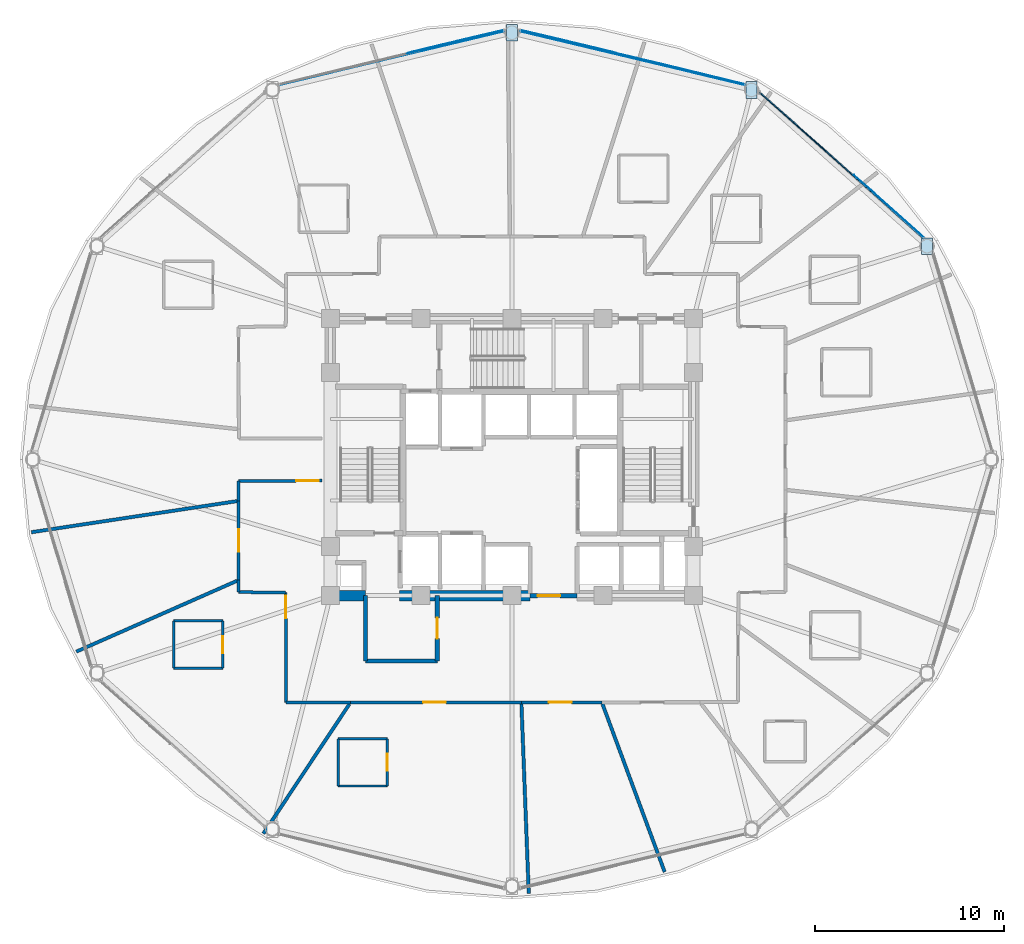
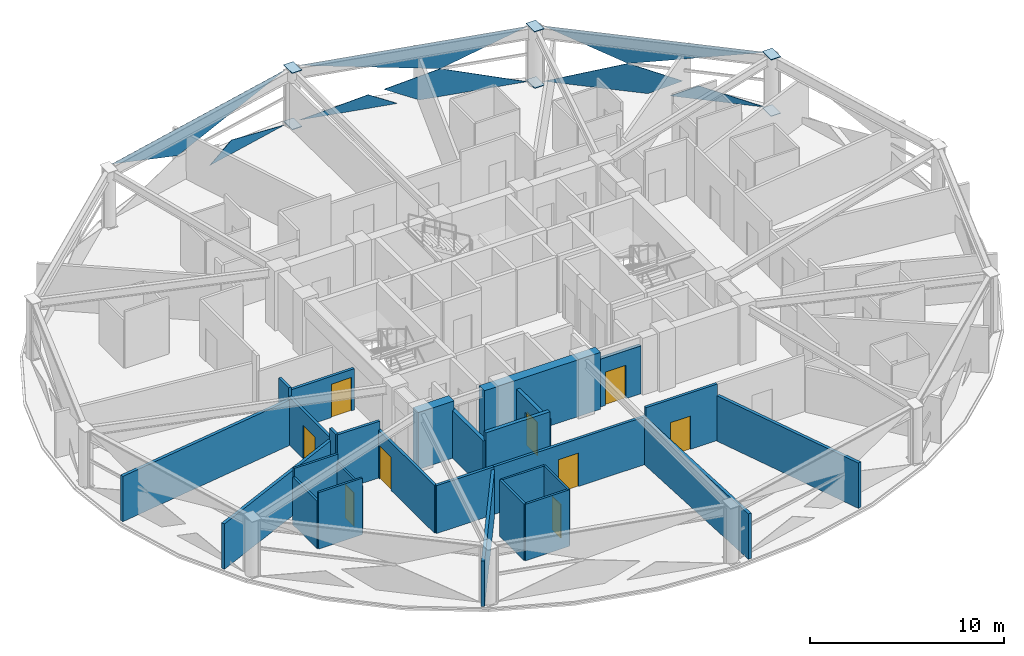
# One storey, part 23 of 31: 28 walls, 14 plates, 9 doors, 9 openings, 3 elements without a shape of their own.
"""IFC4 building model written with IfcOpenShell, lengths in metres."""

from ifc_helpers import new_model, si_unit, direction, frame, frame_2d, origin, place, context, subcontext, project, spatial, polyline, rectangle, outline, extrude, material, layer, layer_set, type_object, element, fill, aggregate, save


model = new_model("IFC4")

# Units and contexts
model_context = context("Model", 3, precision=1e-05, world=origin(), true_north=direction((0.0, 1.0)))
body_context = subcontext(model_context, "Body", "Model", "MODEL_VIEW")
ifc_project = project(units=[si_unit("LENGTHUNIT", "METRE"), si_unit("AREAUNIT", "SQUARE_METRE"), si_unit("VOLUMEUNIT", "CUBIC_METRE"), si_unit("PLANEANGLEUNIT", "RADIAN"), si_unit("MASSUNIT", "GRAM", prefix="KILO")], contexts=[model_context])

# Site, building, storey
site_placement = place(None, origin())
site = spatial("IfcSite", under=ifc_project, at=site_placement, CompositionType="ELEMENT")
building_placement = place(site_placement, origin())
building = spatial("IfcBuilding", under=site, at=building_placement, Name="Vantalir Tower", CompositionType="ELEMENT")
storey_placement = place(building_placement, frame((0.0, 0.0, 123.449951171875)))
storey = spatial("IfcBuildingStorey", under=building, at=storey_placement, Name="L30", CompositionType="ELEMENT", Elevation=123.449951171875)

# Curtain wall, plates
ifc_material_1 = material(Name="Champagne-silver PVDF aluminium and double-silver Low-E glass", Category="aluminium")
ifc_layer_1 = layer(ifc_material_1, 0.199951171875)
ifc_layer_set_1 = layer_set([ifc_layer_1], Name="Champagne-silver PVDF aluminium and double-silver Low-E glass")
curtain_wall_type = type_object("IfcCurtainWallType", Name="CW-DIAMOND-Z2", PredefinedType="USERDEFINED", material=ifc_layer_set_1)
curtain_wall_1_placement = place(storey_placement, origin())
curtain_wall_1 = element("IfcCurtainWall", 1, at=curtain_wall_1_placement, inside=storey, type_object=curtain_wall_type, Name="L30 Quilted Pyramid-Diamond Curtain Wall S02", ObjectType="UNITISED CURTAIN WALL", PredefinedType="USERDEFINED")
ifc_material_2 = material(Name="Double-silver Low-E laminated glass IGU", Category="glass")
ifc_layer_2 = layer(ifc_material_2, 0.028076171875)
ifc_layer_set_2 = layer_set([ifc_layer_2], Name="Double-silver Low-E laminated glass IGU")
plate_type_1 = type_object("IfcPlateType", Name="CWP-IGU-28", PredefinedType="CURTAIN_PANEL", material=ifc_layer_set_2)
plate_1_placement = place(storey_placement, frame((48.687255859375, 40.765625, 0.046630859375), z_axis=(-0.665300805585, -0.746448897916, 0.013743394359), x_axis=(-0.74651940335, 0.665363645251, -5.2579e-08)))
plate_1 = element("IfcPlate", 2, at=plate_1_placement, type_object=plate_type_1, Name="CW-L30-S02 Pyramid Diamond Facet 1L", PredefinedType="CURTAIN_PANEL", context=body_context, shape_type="SweptSolid", body=[
    extrude(outline(polyline([(0.0, 0.0), (5.46872002725647, 0.0), (1.0506714776154722, -1.7269697993653241), (-1.8157712128185752, -1.03842776932585), (0.0, 0.0)])), origin(), (0.0, 0.0, -1.0), 0.028076171875),
])
plate_2_placement = place(storey_placement, frame((53.291748046875, 36.70458984375, 0.0458984375), z_axis=(-0.665283604735, -0.746464471689, 0.013730177568), x_axis=(-0.746534394823, 0.665346823059, 4.8908176e-05)))
plate_2 = element("IfcPlate", 3, at=plate_2_placement, type_object=plate_type_1, Name="CW-L30-S02 Pyramid Diamond Facet 1L Infill Light", PredefinedType="CURTAIN_PANEL", context=body_context, shape_type="SweptSolid", body=[
    extrude(outline(polyline([(0.0, 0.0), (4.991816218841898, -4.2825985813177425e-18), (3.5155028973693674, -0.8443900810729449), (0.0, 0.0)])), origin(), (0.0, 0.0, -1.0), 0.028076171875),
])
plate_3_placement = place(storey_placement, frame((44.604736328125, 44.404296875, 3.5234375), z_axis=(0.66529752374, 0.746451806469, 0.013744290602), x_axis=(0.746522128378, -0.665360587501, 2.1031755e-05)))
plate_3 = element("IfcPlate", 4, at=plate_3_placement, type_object=plate_type_1, Name="CW-L30-S02 Pyramid Diamond Facet 2U", PredefinedType="CURTAIN_PANEL", context=body_context, shape_type="SweptSolid", body=[
    extrude(outline(polyline([(0.0, 0.0), (11.60819104345454, 4.472333961502706e-18), (4.418012237357074, 1.727062693102279), (0.0, 0.0)])), origin(), (0.0, 0.0, -1.0), 0.028076171875),
])
aggregate(curtain_wall_1, [plate_1, plate_2, plate_3])

curtain_wall_2_placement = place(storey_placement, origin())
curtain_wall_2 = element("IfcCurtainWall", 5, at=curtain_wall_2_placement, inside=storey, type_object=curtain_wall_type, Name="L30 Quilted Pyramid-Diamond Curtain Wall S03", ObjectType="UNITISED CURTAIN WALL", PredefinedType="USERDEFINED")
plate_4_placement = place(storey_placement, frame((43.822509765625, 44.812744140625, 0.046630859375), z_axis=(-0.23230148388, -0.972547445509, 0.013692582709), x_axis=(-0.972638762051, 0.23232269963, -4.2332746e-05)))
plate_4 = element("IfcPlate", 6, at=plate_4_placement, type_object=plate_type_1, Name="CW-L30-S03 Pyramid Diamond Facet 1L", PredefinedType="CURTAIN_PANEL", context=body_context, shape_type="SweptSolid", body=[
    extrude(outline(polyline([(0.0, 0.0), (5.76290797486281, 2.303929616531697e-18), (7.665386343364732, -1.0380194660828543), (4.644468302185211, -1.7274095176504485), (0.0, 0.0)])), origin(), (0.0, 0.0, -1.0), 0.028076171875),
])
plate_5_placement = place(storey_placement, frame((37.06884765625, 46.458740234375, 0.0458984375), z_axis=(-0.232294839852, -0.972549102871, 0.013687581345), x_axis=(-0.972640219154, 0.232316603116, 0.0)))
plate_5 = element("IfcPlate", 7, at=plate_5_placement, type_object=plate_type_1, Name="CW-L30-S03 Pyramid Diamond Facet 1L Infill Light", PredefinedType="CURTAIN_PANEL", context=body_context, shape_type="SweptSolid", body=[
    extrude(outline(polyline([(0.0, 0.0), (5.262887945169534, 0.0), (1.5519906296792882, -0.8467590113163868), (0.0, 0.0)])), origin(), (0.0, 0.0, -1.0), 0.028076171875),
])
plate_6_placement = place(storey_placement, frame((31.9423828125, 47.650390625, 3.523681640625), z_axis=(0.232299697518, 0.972547696452, 0.013705059649), x_axis=(0.972639108939, -0.232321250348, -1.9988062e-05)))
plate_6 = element("IfcPlate", 8, at=plate_6_placement, type_object=plate_type_1, Name="CW-L30-S03 Pyramid Diamond Facet 2U", PredefinedType="CURTAIN_PANEL", context=body_context, shape_type="SweptSolid", body=[
    extrude(outline(polyline([(0.0, 0.0), (12.214321677942559, 1.3552527156068805e-18), (7.569814817392175, 1.727305842677403), (0.0, 0.0)])), origin(), (0.0, 0.0, -1.0), 0.028076171875),
])
aggregate(curtain_wall_2, [plate_4, plate_5, plate_6])

curtain_wall_3_placement = place(storey_placement, origin())
curtain_wall_3 = element("IfcCurtainWall", 9, at=curtain_wall_3_placement, inside=storey, type_object=curtain_wall_type, Name="L30 Quilted Pyramid-Diamond Curtain Wall S04", ObjectType="UNITISED CURTAIN WALL", PredefinedType="USERDEFINED")
plate_7_placement = place(storey_placement, frame((31.050048828125, 47.681396484375, 0.0458984375), z_axis=(0.232294839852, -0.972549102871, 0.013687581345), x_axis=(-0.972640219154, -0.232316603116, 0.0)))
plate_7 = element("IfcPlate", 10, at=plate_7_placement, type_object=plate_type_1, Name="CW-L30-S04 Pyramid Diamond Facet 1L Infill Light", PredefinedType="CURTAIN_PANEL", context=body_context, shape_type="SweptSolid", body=[
    extrude(outline(polyline([(0.0, 0.0), (5.262887945169534, 0.0), (3.7108973154902456, -0.8467590113163868), (0.0, 0.0)])), origin(), (0.0, 0.0, -1.0), 0.028076171875),
])
plate_8_placement = place(storey_placement, frame((19.177490234375, 44.812744140625, 3.5234375), z_axis=(-0.232299697518, 0.972547696452, 0.013705059649), x_axis=(0.972639108939, 0.232321250348, 1.9988062e-05)))
plate_8 = element("IfcPlate", 11, at=plate_8_placement, type_object=plate_type_1, Name="CW-L30-S04 Pyramid Diamond Facet 2U", PredefinedType="CURTAIN_PANEL", context=body_context, shape_type="SweptSolid", body=[
    extrude(outline(polyline([(0.0, 0.0), (12.214321677942559, -1.3552527156068805e-18), (4.644506860550384, 1.727305842677403), (0.0, 0.0)])), origin(), (0.0, 0.0, -1.0), 0.028076171875),
])
aggregate(curtain_wall_3, [plate_7, plate_8])

# Plates
ifc_material_3 = material(Name="Steel S460", Category="steel")
ifc_layer_3 = layer(ifc_material_3, 0.035888671875)
ifc_layer_set_3 = layer_set([ifc_layer_3], Name="Steel S460")
plate_type_2 = type_object("IfcPlateType", Name="PLT-KN-Z2", PredefinedType="USERDEFINED", material=ifc_layer_set_3)
for number, where, z_axis, x_axis, name in (
    (12, (53.155029296875, 36.722900390625, 3.59814453125), (0.0, 0.0, 1.0), (0.0, -1.0, 0.0), "L30 Ring Column Top Cap RC02"),
    (13, (53.155029296875, 36.722900390625, 0.052978515625), (0.0, 0.0, 1.0), (0.0, -1.0, 0.0), "L30 Ring Column Base Cap RC02"),
    (14, (43.8798828125, 44.98291015625, 3.59814453125), (0.0, 0.0, 1.0), (0.0, -1.0, 0.0), "L30 Ring Column Top Cap RC03"),
    (15, (43.8798828125, 44.98291015625, 0.052978515625), (0.0, 0.0, 1.0), (0.0, -1.0, 0.0), "L30 Ring Column Base Cap RC03"),
):
    element("IfcPlate", number, at=place(storey_placement, frame(where, z_axis=z_axis, x_axis=x_axis)), inside=storey, type_object=plate_type_2, Name=name, ObjectType="FLANGE_PLATE", PredefinedType="USERDEFINED", context=body_context, shape_type="SweptSolid", body=[
        extrude(outline(polyline([(0.0, 0.0), (0.8798828125, 0.0), (0.8798828125, 0.580078125), (0.0, 0.580078125), (0.0, 0.0)])), origin(), (0.0, 0.0, -1.0), 0.035888671875),
    ])
for number, where, z_axis, x_axis, name in (
    (16, (31.2099609375, 48.006103515625, 3.59814453125), (0.0, 0.0, 1.0), (0.0, -1.0, 0.0), "L30 Ring Column Top Cap RC04"),
    (17, (31.2099609375, 48.006103515625, 0.052978515625), (0.0, 0.0, 1.0), (0.0, -1.0, 0.0), "L30 Ring Column Base Cap RC04"),
):
    element("IfcPlate", number, at=place(storey_placement, frame(where, z_axis=z_axis, x_axis=x_axis)), inside=storey, type_object=plate_type_2, Name=name, ObjectType="FLANGE_PLATE", PredefinedType="USERDEFINED", context=body_context, shape_type="SweptSolid", body=[
        extrude(outline(polyline([(0.0, 0.0), (0.880126953125, 0.0), (0.880126953125, 0.580078125), (0.0, 0.580078125), (0.0, 0.0)])), origin(), (0.0, 0.0, -1.0), 0.035888671875),
    ])

# Walls
ifc_material_4 = material(Name="Moisture-resistant en-suite partition", Category="gypsum")
ifc_layer_4 = layer(ifc_material_4, 0.125)
ifc_layer_set_4 = layer_set([ifc_layer_4], Name="Moisture-resistant en-suite partition")
wall_type_1 = type_object("IfcWallType", Name="WL-BATH-125", PredefinedType="PARTITIONING", material=ifc_layer_set_4)
for number, where, z_axis, x_axis, name in (
    (18, (13.60595703125, 13.967041015625, 0.0), (0.0, 0.0, 1.0), (1.0, 0.0, 0.0), "L30 En-suite 11 South Wall"),
    (19, (13.60595703125, 16.467041015625, 0.0), (0.0, 0.0, 1.0), (1.0, 0.0, 0.0), "L30 En-suite 11 North Wall"),
):
    element("IfcWall", number, at=place(storey_placement, frame(where, z_axis=z_axis, x_axis=x_axis)), inside=storey, type_object=wall_type_1, Name=name, PredefinedType="PARTITIONING", context=body_context, shape_type="SweptSolid", body=[
        extrude(rectangle(XDim=2.60009765625, YDim=0.125, at=frame_2d((1.300048828125, 0.0))), origin(), (0.0, 0.0, 1.0), 3.550048828125),
    ])
wall_1_placement = place(storey_placement, frame((13.60595703125, 13.967041015625, 0.0), z_axis=(0.0, 0.0, 1.0), x_axis=(0.0, 1.0, 0.0)))
element("IfcWall", 20, at=wall_1_placement, inside=storey, type_object=wall_type_1, Name="L30 En-suite 11 West Wall", PredefinedType="PARTITIONING", context=body_context, shape_type="SweptSolid", body=[
    extrude(rectangle(XDim=2.5, YDim=0.125, at=frame_2d((1.25, 0.0))), origin(), (0.0, 0.0, 1.0), 3.006103515625),
])

# Wall, opening, door
wall_2_placement = place(storey_placement, frame((16.2060546875, 13.967041015625, 0.0), z_axis=(0.0, 0.0, 1.0), x_axis=(0.0, 1.0, 0.0)))
wall_2 = element("IfcWall", 21, at=wall_2_placement, inside=storey, type_object=wall_type_1, Name="L30 En-suite 11 East Wall", PredefinedType="PARTITIONING", context=body_context, shape_type="SweptSolid", body=[
    extrude(rectangle(XDim=2.5, YDim=0.125, at=frame_2d((1.25, 0.0))), origin(), (0.0, 0.0, 1.0), 3.006103515625),
])
opening_1_placement = place(wall_2_placement, frame((0.800048828125, 0.0, 0.0)))
opening_1 = element("IfcOpeningElement", 22, at=opening_1_placement, cuts=wall_2, Name="Opening D-WC", PredefinedType="OPENING", context=body_context, shape_type="SweptSolid", body=[
    extrude(rectangle(XDim=0.89990234375, YDim=2.10009765625, at=frame_2d((0.449951171875, 1.050048828125))), frame((0.0, 0.072509765625, 0.0), z_axis=(0.0, -1.0, 0.0), x_axis=(1.0, 0.0, 0.0)), (0.0, 0.0, 1.0), 0.14501953125),
])
ifc_material_5 = material(Name="Moisture-resistant hardwood door", Category="wood")
door_type_1 = type_object("IfcDoorType", Name="DR-ENSUITE-900", OperationType="NOTDEFINED", PredefinedType="DOOR", material=ifc_material_5)
door_1_placement = place(opening_1_placement, origin())
door_1 = element("IfcDoor", 23, at=door_1_placement, inside=storey, type_object=door_type_1, Name="L30 En-suite 11 Door", OperationType="SINGLE_SWING_RIGHT", OverallHeight=2.10009765625, OverallWidth=0.89990234375, PredefinedType="DOOR", context=body_context, shape_type="SweptSolid", body=[
    extrude(rectangle(XDim=0.89990234375, YDim=2.10009765625, at=frame_2d((0.449951171875, 1.050048828125))), frame((0.0, 0.02490234375, 0.0), z_axis=(0.0, -1.0, 0.0), x_axis=(1.0, 0.0, 0.0)), (0.0, 0.0, 1.0), 0.050048828125),
])
fill(opening_1, door_1)

# Walls
for number, where, z_axis, x_axis, name in (
    (24, (22.30810546875, 7.735107421875, 0.0), (0.0, 0.0, 1.0), (1.0, 0.0, 0.0), "L30 En-suite 12 South Wall"),
    (25, (22.30810546875, 10.235107421875, 0.0), (0.0, 0.0, 1.0), (1.0, 0.0, 0.0), "L30 En-suite 12 North Wall"),
):
    element("IfcWall", number, at=place(storey_placement, frame(where, z_axis=z_axis, x_axis=x_axis)), inside=storey, type_object=wall_type_1, Name=name, PredefinedType="PARTITIONING", context=body_context, shape_type="SweptSolid", body=[
        extrude(rectangle(XDim=2.599853515625, YDim=0.125, at=frame_2d((1.2998046875, 0.0))), origin(), (0.0, 0.0, 1.0), 3.550048828125),
    ])
wall_3_placement = place(storey_placement, frame((22.30810546875, 7.735107421875, 0.0), z_axis=(0.0, 0.0, 1.0), x_axis=(0.0, 1.0, 0.0)))
element("IfcWall", 26, at=wall_3_placement, inside=storey, type_object=wall_type_1, Name="L30 En-suite 12 West Wall", PredefinedType="PARTITIONING", context=body_context, shape_type="SweptSolid", body=[
    extrude(rectangle(XDim=2.5, YDim=0.125, at=frame_2d((1.25, 0.0))), origin(), (0.0, 0.0, 1.0), 3.550048828125),
])

# Wall, opening, door
wall_4_placement = place(storey_placement, frame((24.907958984375, 7.735107421875, 0.0), z_axis=(0.0, 0.0, 1.0), x_axis=(0.0, 1.0, 0.0)))
wall_4 = element("IfcWall", 27, at=wall_4_placement, inside=storey, type_object=wall_type_1, Name="L30 En-suite 12 East Wall", PredefinedType="PARTITIONING", context=body_context, shape_type="SweptSolid", body=[
    extrude(rectangle(XDim=2.5, YDim=0.125, at=frame_2d((1.25, 0.0))), origin(), (0.0, 0.0, 1.0), 3.550048828125),
])
opening_2_placement = place(wall_4_placement, frame((0.800048828125, 0.0, 0.0)))
opening_2 = element("IfcOpeningElement", 28, at=opening_2_placement, cuts=wall_4, Name="Opening D-WC", PredefinedType="OPENING", context=body_context, shape_type="SweptSolid", body=[
    extrude(rectangle(XDim=0.89990234375, YDim=2.10009765625, at=frame_2d((0.449951171875, 1.050048828125))), frame((0.0, 0.072509765625, 0.0), z_axis=(0.0, -1.0, 0.0), x_axis=(1.0, 0.0, 0.0)), (0.0, 0.0, 1.0), 0.14501953125),
])
door_2_placement = place(opening_2_placement, origin())
door_2 = element("IfcDoor", 29, at=door_2_placement, inside=storey, type_object=door_type_1, Name="L30 En-suite 12 Door", OperationType="SINGLE_SWING_LEFT", OverallHeight=2.10009765625, OverallWidth=0.89990234375, PredefinedType="DOOR", context=body_context, shape_type="SweptSolid", body=[
    extrude(rectangle(XDim=0.89990234375, YDim=2.10009765625, at=frame_2d((0.449951171875, 1.050048828125))), frame((0.0, 0.02490234375, 0.0), z_axis=(0.0, -1.0, 0.0), x_axis=(1.0, 0.0, 0.0)), (0.0, 0.0, 1.0), 0.050048828125),
])
fill(opening_2, door_2)

# Walls
ifc_material_6 = material(Name="Concrete C60/75", Category="concrete")
ifc_layer_5 = layer(ifc_material_6, 0.550048828125)
ifc_layer_set_5 = layer_set([ifc_layer_5], Name="Concrete C60/75")
wall_type_2 = type_object("IfcWallType", Name="WL-CORE-550", PredefinedType="SHEAR", material=ifc_layer_set_5)
wall_5_placement = place(storey_placement, frame((21.625, 17.800048828125, 0.0), z_axis=(0.0, 0.0, 1.0), x_axis=(1.0, 0.0, 0.0)))
element("IfcWall", 30, at=wall_5_placement, inside=storey, type_object=wall_type_2, Name="L30 Core Shear Wall South-West", PredefinedType="SHEAR", context=body_context, shape_type="SweptSolid", body=[
    extrude(rectangle(XDim=2.125, YDim=0.550048828125, at=frame_2d((1.0625, 0.0))), origin(), (0.0, 0.0, 1.0), 3.570068359375),
])
wall_6_placement = place(storey_placement, frame((25.550048828125, 17.800048828125, 0.0), z_axis=(0.0, 0.0, 1.0), x_axis=(1.0, 0.0, 0.0)))
element("IfcWall", 31, at=wall_6_placement, inside=storey, type_object=wall_type_2, Name="L30 Core Shear Wall South-Mid", PredefinedType="SHEAR", context=body_context, shape_type="SweptSolid", body=[
    extrude(rectangle(XDim=6.89990234375, YDim=0.550048828125, at=frame_2d((3.449951171875, 0.0))), origin(), (0.0, 0.0, 1.0), 3.570068359375),
])

# Wall, opening, door
ifc_material_7 = material(Name="Fire-rated hotel corridor acoustic partition", Category="gypsum")
ifc_layer_6 = layer(ifc_material_7, 0.159912109375)
ifc_layer_set_6 = layer_set([ifc_layer_6], Name="Fire-rated hotel corridor acoustic partition")
wall_type_3 = type_object("IfcWallType", Name="WL-CORR-160", PredefinedType="PARTITIONING", material=ifc_layer_set_6)
wall_7_placement = place(storey_placement, frame((36.2509765625, 12.1640625, 0.0), z_axis=(0.0, 0.0, 1.0), x_axis=(-0.999999894645, -0.000459031395, 0.0)))
wall_7 = element("IfcWall", 32, at=wall_7_placement, inside=storey, type_object=wall_type_3, Name="L30 Corridor Partition 28", PredefinedType="PARTITIONING", context=body_context, shape_type="SweptSolid", body=[
    extrude(rectangle(XDim=4.2548828125, YDim=0.159912109375, at=frame_2d((2.12744140625, 0.0))), origin(), (0.0, 0.0, 1.0), 3.550048828125),
])
opening_3_placement = place(wall_7_placement, frame((1.59912109375, 0.0, 0.0)))
opening_3 = element("IfcOpeningElement", 33, at=opening_3_placement, cuts=wall_7, Name="Opening D-STE", PredefinedType="OPENING", context=body_context, shape_type="SweptSolid", body=[
    extrude(rectangle(XDim=1.199951171875, YDim=2.10009765625, at=frame_2d((0.60009765625, 1.050048828125))), frame((0.0, 0.08984375, 0.0), z_axis=(0.0, -1.0, 0.0), x_axis=(1.0, 0.0, 0.0)), (0.0, 0.0, 1.0), 0.179931640625),
])
ifc_material_8 = material(Name="Solid-core teak veneer suite entrance door", Category="wood")
door_type_2 = type_object("IfcDoorType", Name="DR-SUITE-ENTRY-1200", OperationType="NOTDEFINED", PredefinedType="DOOR", material=ifc_material_8)
door_3_placement = place(opening_3_placement, origin())
door_3 = element("IfcDoor", 34, at=door_3_placement, inside=storey, type_object=door_type_2, Name="L30 Club Reading Lounge 13 Door", OperationType="SINGLE_SWING_RIGHT", OverallHeight=2.10009765625, OverallWidth=1.199951171875, PredefinedType="DOOR", context=body_context, shape_type="SweptSolid", body=[
    extrude(rectangle(XDim=1.199951171875, YDim=2.10009765625, at=frame_2d((0.60009765625, 1.050048828125))), frame((0.0, 0.02490234375, 0.0), z_axis=(0.0, -1.0, 0.0), x_axis=(1.0, 0.0, 0.0)), (0.0, 0.0, 1.0), 0.050048828125),
])
fill(opening_3, door_3)

wall_8_placement = place(storey_placement, frame((31.99609375, 12.162109375, 0.0), z_axis=(0.0, 0.0, 1.0), x_axis=(-0.999999894397, -0.000459571199, 0.0)))
wall_8 = element("IfcWall", 35, at=wall_8_placement, inside=storey, type_object=wall_type_3, Name="L30 Corridor Partition 29", PredefinedType="PARTITIONING", context=body_context, shape_type="SweptSolid", body=[
    extrude(rectangle(XDim=9.031005859375, YDim=0.159912109375, at=frame_2d((4.515625, 0.0))), origin(), (0.0, 0.0, 1.0), 3.006103515625),
])
opening_4_placement = place(wall_8_placement, frame((3.989013671875, 0.0, 0.0)))
opening_4 = element("IfcOpeningElement", 36, at=opening_4_placement, cuts=wall_8, Name="Opening D-STE", PredefinedType="OPENING", context=body_context, shape_type="SweptSolid", body=[
    extrude(rectangle(XDim=1.199951171875, YDim=2.10009765625, at=frame_2d((0.60009765625, 1.050048828125))), frame((0.0, 0.08984375, 0.0), z_axis=(0.0, -1.0, 0.0), x_axis=(1.0, 0.0, 0.0)), (0.0, 0.0, 1.0), 0.179931640625),
])
door_4_placement = place(opening_4_placement, origin())
door_4 = element("IfcDoor", 37, at=door_4_placement, inside=storey, type_object=door_type_2, Name="L30 Executive Club Hotel Suite 12 Door", OperationType="SINGLE_SWING_LEFT", OverallHeight=2.10009765625, OverallWidth=1.199951171875, PredefinedType="DOOR", context=body_context, shape_type="SweptSolid", body=[
    extrude(rectangle(XDim=1.199951171875, YDim=2.10009765625, at=frame_2d((0.60009765625, 1.050048828125))), frame((0.0, 0.02490234375, 0.0), z_axis=(0.0, -1.0, 0.0), x_axis=(1.0, 0.0, 0.0)), (0.0, 0.0, 1.0), 0.050048828125),
])
fill(opening_4, door_4)

# Wall
wall_9_placement = place(storey_placement, frame((22.965087890625, 12.157958984375, 0.0), z_axis=(0.0, 0.0, 1.0), x_axis=(-0.999999959043, -0.000286204911, 0.0)))
element("IfcWall", 38, at=wall_9_placement, inside=storey, type_object=wall_type_3, Name="L30 Corridor Partition 30", PredefinedType="PARTITIONING", context=body_context, shape_type="SweptSolid", body=[
    extrude(rectangle(XDim=3.412109375, YDim=0.159912109375, at=frame_2d((1.7060546875, 0.0))), origin(), (0.0, 0.0, 1.0), 3.006103515625),
])

# Wall, opening, door
wall_10_placement = place(storey_placement, frame((19.552978515625, 12.156982421875, 0.0), z_axis=(0.0, 0.0, 1.0), x_axis=(-0.003113283747, 0.99999515372, 0.0)))
wall_10 = element("IfcWall", 39, at=wall_10_placement, inside=storey, type_object=wall_type_3, Name="L30 Corridor Partition 31", PredefinedType="PARTITIONING", context=body_context, shape_type="SweptSolid", body=[
    extrude(rectangle(XDim=5.802978515625, YDim=0.159912109375, at=frame_2d((2.9013671875, 0.0))), origin(), (0.0, 0.0, 1.0), 3.006103515625),
])
opening_5_placement = place(wall_10_placement, frame((4.443115234375, 0.0, 0.0)))
opening_5 = element("IfcOpeningElement", 40, at=opening_5_placement, cuts=wall_10, Name="Opening D-STE", PredefinedType="OPENING", context=body_context, shape_type="SweptSolid", body=[
    extrude(rectangle(XDim=1.199951171875, YDim=2.10009765625, at=frame_2d((0.60009765625, 1.050048828125))), frame((0.0, 0.08984375, 0.0), z_axis=(0.0, -1.0, 0.0), x_axis=(1.0, 0.0, 0.0)), (0.0, 0.0, 1.0), 0.179931640625),
])
door_5_placement = place(opening_5_placement, origin())
door_5 = element("IfcDoor", 41, at=door_5_placement, inside=storey, type_object=door_type_2, Name="L30 Corner Panorama Hotel Suite 11 Door", OperationType="SINGLE_SWING_RIGHT", OverallHeight=2.10009765625, OverallWidth=1.199951171875, PredefinedType="DOOR", context=body_context, shape_type="SweptSolid", body=[
    extrude(rectangle(XDim=1.199951171875, YDim=2.10009765625, at=frame_2d((0.60009765625, 1.050048828125))), frame((0.0, 0.02490234375, 0.0), z_axis=(0.0, -1.0, 0.0), x_axis=(1.0, 0.0, 0.0)), (0.0, 0.0, 1.0), 0.050048828125),
])
fill(opening_5, door_5)

# Walls
wall_11_placement = place(storey_placement, frame((19.534912109375, 17.9599609375, 0.0), z_axis=(0.0, 0.0, 1.0), x_axis=(-0.999917456219, 0.012848375357, 0.0)))
element("IfcWall", 42, at=wall_11_placement, inside=storey, type_object=wall_type_3, Name="L30 Corridor Partition 32", PredefinedType="PARTITIONING", context=body_context, shape_type="SweptSolid", body=[
    extrude(rectangle(XDim=2.4892578125, YDim=0.159912109375, at=frame_2d((1.24462890625, 0.0))), origin(), (0.0, 0.0, 1.0), 3.550048828125),
])
wall_12_placement = place(storey_placement, frame((17.0458984375, 17.991943359375, 0.0), z_axis=(0.0, 0.0, 1.0), x_axis=(0.0, 1.0, 0.0)))
element("IfcWall", 43, at=wall_12_placement, inside=storey, type_object=wall_type_3, Name="L30 Corridor Partition 33", PredefinedType="PARTITIONING", context=body_context, shape_type="SweptSolid", body=[
    extrude(rectangle(XDim=0.635009765625, YDim=0.159912109375, at=frame_2d((0.3173828125, 0.0))), origin(), (0.0, 0.0, 1.0), 3.550048828125),
])

# Wall, opening, door
wall_13_placement = place(storey_placement, frame((17.0458984375, 18.626953125, 0.0), z_axis=(0.0, 0.0, 1.0), x_axis=(0.0, 1.0, 0.0)))
wall_13 = element("IfcWall", 44, at=wall_13_placement, inside=storey, type_object=wall_type_3, Name="L30 Corridor Partition 34", PredefinedType="PARTITIONING", context=body_context, shape_type="SweptSolid", body=[
    extrude(rectangle(XDim=4.18701171875, YDim=0.159912109375, at=frame_2d((2.093505859375, 0.0))), origin(), (0.0, 0.0, 1.0), 3.006103515625),
])
opening_6_placement = place(wall_13_placement, frame((1.493896484375, 0.0, 0.0)))
opening_6 = element("IfcOpeningElement", 45, at=opening_6_placement, cuts=wall_13, Name="Opening D-STE", PredefinedType="OPENING", context=body_context, shape_type="SweptSolid", body=[
    extrude(rectangle(XDim=1.199951171875, YDim=2.10009765625, at=frame_2d((0.60009765625, 1.050048828125))), frame((0.0, 0.08984375, 0.0), z_axis=(0.0, -1.0, 0.0), x_axis=(1.0, 0.0, 0.0)), (0.0, 0.0, 1.0), 0.179931640625),
])
door_6_placement = place(opening_6_placement, origin())
door_6 = element("IfcDoor", 46, at=door_6_placement, inside=storey, type_object=door_type_2, Name="L30 Executive Sky Boardroom 10 Door", OperationType="SINGLE_SWING_LEFT", OverallHeight=2.10009765625, OverallWidth=1.199951171875, PredefinedType="DOOR", context=body_context, shape_type="SweptSolid", body=[
    extrude(rectangle(XDim=1.199951171875, YDim=2.10009765625, at=frame_2d((0.60009765625, 1.050048828125))), frame((0.0, 0.02490234375, 0.0), z_axis=(0.0, -1.0, 0.0), x_axis=(1.0, 0.0, 0.0)), (0.0, 0.0, 1.0), 0.050048828125),
])
fill(opening_6, door_6)

# Wall
wall_14_placement = place(storey_placement, frame((17.0458984375, 22.81396484375, 0.0), z_axis=(0.0, 0.0, 1.0), x_axis=(0.0, 1.0, 0.0)))
element("IfcWall", 47, at=wall_14_placement, inside=storey, type_object=wall_type_3, Name="L30 Corridor Partition 35", PredefinedType="PARTITIONING", context=body_context, shape_type="SweptSolid", body=[
    extrude(rectangle(XDim=1.0439453125, YDim=0.159912109375, at=frame_2d((0.52197265625, 0.0))), origin(), (0.0, 0.0, 1.0), 3.550048828125),
])

# Wall, opening, door
wall_15_placement = place(storey_placement, frame((17.0458984375, 23.85791015625, 0.0), z_axis=(0.0, 0.0, 1.0), x_axis=(0.999982369497, 0.005938071676, 0.0)))
wall_15 = element("IfcWall", 48, at=wall_15_placement, inside=storey, type_object=wall_type_3, Name="L30 Corridor Partition 36", PredefinedType="PARTITIONING", context=body_context, shape_type="SweptSolid", body=[
    extrude(rectangle(XDim=4.399169921875, YDim=0.159912109375, at=frame_2d((2.19970703125, 0.0))), origin(), (0.0, 0.0, 1.0), 2.594970703125),
])
opening_7_placement = place(wall_15_placement, frame((3.0390625, 0.0, 0.0)))
opening_7 = element("IfcOpeningElement", 49, at=opening_7_placement, cuts=wall_15, Name="Opening D-STE", PredefinedType="OPENING", context=body_context, shape_type="SweptSolid", body=[
    extrude(rectangle(XDim=1.199951171875, YDim=2.10009765625, at=frame_2d((0.60009765625, 1.050048828125))), frame((0.0, 0.08984375, 0.0), z_axis=(0.0, -1.0, 0.0), x_axis=(1.0, 0.0, 0.0)), (0.0, 0.0, 1.0), 0.179931640625),
])
door_7_placement = place(opening_7_placement, origin())
door_7 = element("IfcDoor", 50, at=door_7_placement, inside=storey, type_object=door_type_2, Name="L30 Club Reading Lounge 09 Door", OperationType="SINGLE_SWING_RIGHT", OverallHeight=2.10009765625, OverallWidth=1.199951171875, PredefinedType="DOOR", context=body_context, shape_type="SweptSolid", body=[
    extrude(rectangle(XDim=1.199951171875, YDim=2.10009765625, at=frame_2d((0.60009765625, 1.050048828125))), frame((0.0, 0.02490234375, 0.0), z_axis=(0.0, -1.0, 0.0), x_axis=(1.0, 0.0, 0.0)), (0.0, 0.0, 1.0), 0.050048828125),
])
fill(opening_7, door_7)

ifc_material_9 = material(Name="Concrete blockwork with fireboard lining", Category="masonry")
ifc_layer_7 = layer(ifc_material_9, 0.219970703125)
ifc_layer_set_7 = layer_set([ifc_layer_7], Name="Concrete blockwork with fireboard lining")
wall_type_4 = type_object("IfcWallType", Name="WL-FFL-220", PredefinedType="PARTITIONING", material=ifc_layer_set_7)
wall_16_placement = place(storey_placement, frame((32.449951171875, 17.800048828125, 0.0), z_axis=(0.0, 0.0, 1.0), x_axis=(1.0, 0.0, 0.0)))
wall_16 = element("IfcWall", 51, at=wall_16_placement, inside=storey, type_object=wall_type_4, Name="L30 Passenger Lift Lobby South Wall", PredefinedType="PARTITIONING", context=body_context, shape_type="SweptSolid", body=[
    extrude(rectangle(XDim=2.5, YDim=0.219970703125, at=frame_2d((1.25, 0.0))), origin(), (0.0, 0.0, 1.0), 3.006103515625),
])
opening_8_placement = place(wall_16_placement, frame((0.39990234375, 0.0, 0.0)))
opening_8 = element("IfcOpeningElement", 52, at=opening_8_placement, cuts=wall_16, Name="Opening D-STE", PredefinedType="OPENING", context=body_context, shape_type="SweptSolid", body=[
    extrude(rectangle(XDim=1.199951171875, YDim=2.10009765625, at=frame_2d((0.60009765625, 1.050048828125))), frame((0.0, 0.119873046875, 0.0), z_axis=(0.0, -1.0, 0.0), x_axis=(1.0, 0.0, 0.0)), (0.0, 0.0, 1.0), 0.239990234375),
])
door_8_placement = place(opening_8_placement, origin())
door_8 = element("IfcDoor", 53, at=door_8_placement, inside=storey, type_object=door_type_2, Name="L30 Passenger Lift Lobby Concourse Door", OperationType="SINGLE_SWING_LEFT", OverallHeight=2.10009765625, OverallWidth=1.199951171875, PredefinedType="DOOR", context=body_context, shape_type="SweptSolid", body=[
    extrude(rectangle(XDim=1.199951171875, YDim=2.10009765625, at=frame_2d((0.60009765625, 1.050048828125))), frame((0.0, 0.02490234375, 0.0), z_axis=(0.0, -1.0, 0.0), x_axis=(1.0, 0.0, 0.0)), (0.0, 0.0, 1.0), 0.050048828125),
])
fill(opening_8, door_8)

# Walls
wall_17_placement = place(storey_placement, frame((23.75, 14.35009765625, 0.0), z_axis=(0.0, 0.0, 1.0), x_axis=(0.0, 1.0, 0.0)))
element("IfcWall", 54, at=wall_17_placement, inside=storey, type_object=wall_type_4, Name="L30 Firefighting Lobby West Outer W", PredefinedType="PARTITIONING", context=body_context, shape_type="SweptSolid", body=[
    extrude(rectangle(XDim=3.449951171875, YDim=0.219970703125, at=frame_2d((1.72509765625, 0.0))), origin(), (0.0, 0.0, 1.0), 3.006103515625),
])
wall_18_placement = place(storey_placement, frame((23.75, 14.35009765625, 0.0), z_axis=(0.0, 0.0, 1.0), x_axis=(1.0, 0.0, 0.0)))
element("IfcWall", 55, at=wall_18_placement, inside=storey, type_object=wall_type_4, Name="L30 Firefighting Lobby West South Wall", PredefinedType="PARTITIONING", context=body_context, shape_type="SweptSolid", body=[
    extrude(rectangle(XDim=3.800048828125, YDim=0.219970703125, at=frame_2d((1.89990234375, 0.0))), origin(), (0.0, 0.0, 1.0), 3.550048828125),
])

# Wall, opening, door
wall_19_placement = place(storey_placement, frame((27.550048828125, 14.35009765625, 0.0), z_axis=(0.0, 0.0, 1.0), x_axis=(0.0, 1.0, 0.0)))
wall_19 = element("IfcWall", 56, at=wall_19_placement, inside=storey, type_object=wall_type_4, Name="L30 Firefighting Lobby West East Wall", PredefinedType="PARTITIONING", context=body_context, shape_type="SweptSolid", body=[
    extrude(rectangle(XDim=3.449951171875, YDim=0.219970703125, at=frame_2d((1.72509765625, 0.0))), origin(), (0.0, 0.0, 1.0), 3.006103515625),
])
opening_9_placement = place(wall_19_placement, frame((1.175048828125, 0.0, 0.0)))
opening_9 = element("IfcOpeningElement", 57, at=opening_9_placement, cuts=wall_19, Name="Opening D-FFL", PredefinedType="OPENING", context=body_context, shape_type="SweptSolid", body=[
    extrude(rectangle(XDim=1.10009765625, YDim=2.10009765625, at=frame_2d((0.550048828125, 1.050048828125))), frame((0.0, 0.119873046875, 0.0), z_axis=(0.0, -1.0, 0.0), x_axis=(1.0, 0.0, 0.0)), (0.0, 0.0, 1.0), 0.239990234375),
])
ifc_material_10 = material(Name="Fire-rated acoustic steel door", Category="steel")
door_type_3 = type_object("IfcDoorType", Name="DR-FIRE-LOBBY-1100", OperationType="NOTDEFINED", PredefinedType="DOOR", material=ifc_material_10)
door_9_placement = place(opening_9_placement, origin())
door_9 = element("IfcDoor", 58, at=door_9_placement, inside=storey, type_object=door_type_3, Name="L30 Firefighting Lobby West Access Door", OperationType="SINGLE_SWING_LEFT", OverallHeight=2.10009765625, OverallWidth=1.10009765625, PredefinedType="DOOR", context=body_context, shape_type="SweptSolid", body=[
    extrude(rectangle(XDim=1.10009765625, YDim=2.10009765625, at=frame_2d((0.550048828125, 1.050048828125))), frame((0.0, 0.02490234375, 0.0), z_axis=(0.0, -1.0, 0.0), x_axis=(1.0, 0.0, 0.0)), (0.0, 0.0, 1.0), 0.050048828125),
])
fill(opening_9, door_9)

# Walls
ifc_material_11 = material(Name="Twin-stud acoustic fire-rated gypsum partition", Category="gypsum")
ifc_layer_8 = layer(ifc_material_11, 0.179931640625)
ifc_layer_set_8 = layer_set([ifc_layer_8], Name="Twin-stud acoustic fire-rated gypsum partition")
wall_type_5 = type_object("IfcWallType", Name="WL-GUEST-180", PredefinedType="PARTITIONING", material=ifc_layer_set_8)
wall_20_placement = place(storey_placement, frame((16.969970703125, 22.802001953125, 0.0), z_axis=(0.0, 0.0, 1.0), x_axis=(-0.988755191882, -0.14954320622, 0.0)))
element("IfcWall", 59, at=wall_20_placement, inside=storey, type_object=wall_type_5, Name="L30 Radial Suite Partition 10", PredefinedType="PARTITIONING", context=body_context, shape_type="SweptSolid", body=[
    extrude(rectangle(XDim=11.0068359375, YDim=0.179931640625, at=frame_2d((5.50341796875, 0.0))), origin(), (0.0, 0.0, 1.0), 2.85107421875),
])
wall_21_placement = place(storey_placement, frame((16.969970703125, 18.593017578125, 0.0), z_axis=(0.0, 0.0, 1.0), x_axis=(-0.914998481558, -0.403457282431, 0.0)))
element("IfcWall", 60, at=wall_21_placement, inside=storey, type_object=wall_type_5, Name="L30 Radial Suite Partition 11", PredefinedType="PARTITIONING", context=body_context, shape_type="SweptSolid", body=[
    extrude(rectangle(XDim=9.299560546875, YDim=0.179931640625, at=frame_2d((4.64990234375, 0.0))), origin(), (0.0, 0.0, 1.0), 2.85107421875),
])
wall_22_placement = place(storey_placement, frame((22.908935546875, 12.074951171875, 0.0), z_axis=(0.0, 0.0, 1.0), x_axis=(-0.553501008126, -0.832848506034, 0.0)))
element("IfcWall", 61, at=wall_22_placement, inside=storey, type_object=wall_type_5, Name="L30 Radial Suite Partition 12", PredefinedType="PARTITIONING", context=body_context, shape_type="SweptSolid", body=[
    extrude(rectangle(XDim=8.225830078125, YDim=0.179931640625, at=frame_2d((4.11279296875, 0.0))), origin(), (0.0, 0.0, 1.0), 2.85107421875),
])
wall_23_placement = place(storey_placement, frame((31.9990234375, 12.074951171875, 0.0), z_axis=(0.0, 0.0, 1.0), x_axis=(0.038582699769, -0.999255410432, 0.0)))
element("IfcWall", 62, at=wall_23_placement, inside=storey, type_object=wall_type_5, Name="L30 Radial Suite Partition 13", PredefinedType="PARTITIONING", context=body_context, shape_type="SweptSolid", body=[
    extrude(rectangle(XDim=10.029541015625, YDim=0.179931640625, at=frame_2d((5.0146484375, 0.0))), origin(), (0.0, 0.0, 1.0), 2.85107421875),
])
wall_24_placement = place(storey_placement, frame((36.283935546875, 12.074951171875, 0.0), z_axis=(0.0, 0.0, 1.0), x_axis=(0.347176662683, -0.937799746688, 0.0)))
element("IfcWall", 63, at=wall_24_placement, inside=storey, type_object=wall_type_5, Name="L30 Radial Suite Partition 14", PredefinedType="PARTITIONING", context=body_context, shape_type="SweptSolid", body=[
    extrude(rectangle(XDim=9.470947265625, YDim=0.179931640625, at=frame_2d((4.7353515625, 0.0))), origin(), (0.0, 0.0, 1.0), 2.85107421875),
])

save(model, "model.ifc")
